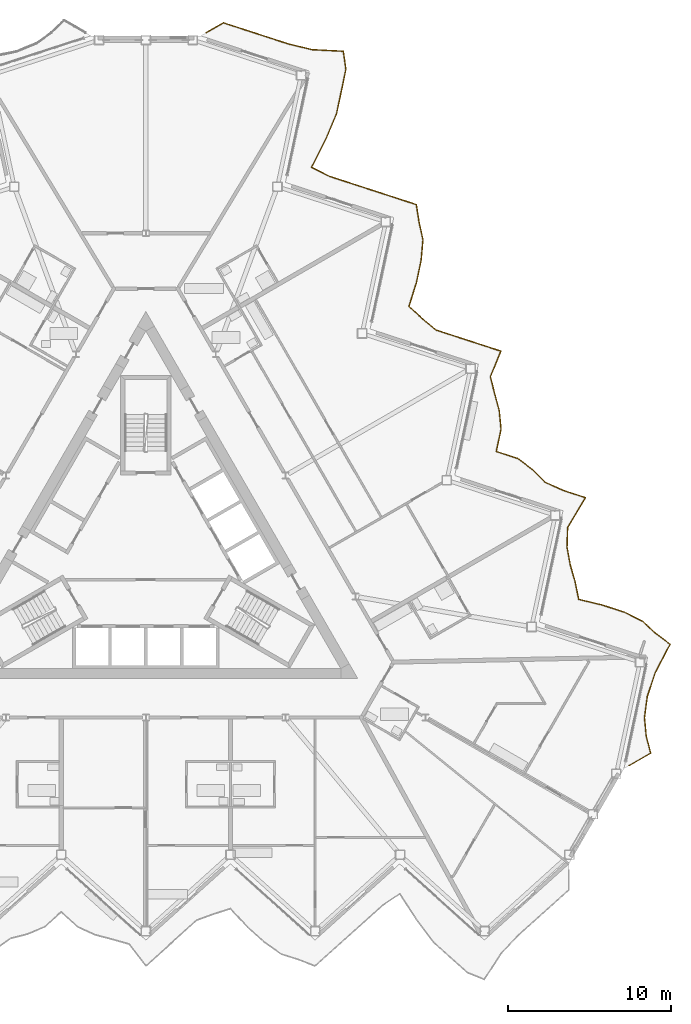
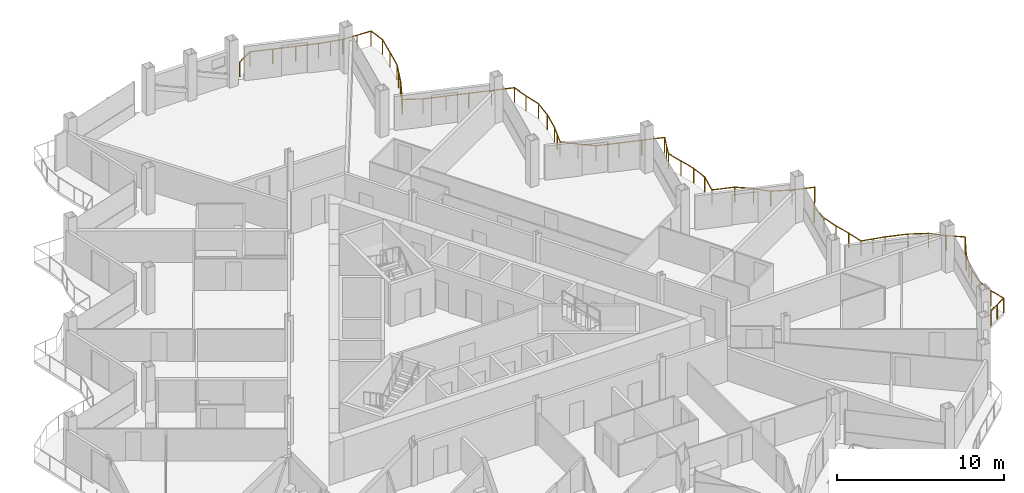
# One storey, part 25 of 27: 1 railing.
"""IFC4 building model written with IfcOpenShell, lengths in metres."""

from ifc_helpers import new_model, si_unit, direction, frame, origin, origin_2d, place, context, subcontext, project, spatial, circle, extrude, material, type_object, element, save


model = new_model("IFC4")

# Units and contexts
model_context = context("Model", 3, precision=1e-05, world=origin(), true_north=direction((0.0, 1.0)))
body_context = subcontext(model_context, "Body", "Model", "MODEL_VIEW")
ifc_project = project(units=[si_unit("LENGTHUNIT", "METRE"), si_unit("AREAUNIT", "SQUARE_METRE"), si_unit("VOLUMEUNIT", "CUBIC_METRE"), si_unit("PLANEANGLEUNIT", "RADIAN"), si_unit("MASSUNIT", "GRAM", prefix="KILO")], contexts=[model_context])

# Site, building, storey
site_placement = place(None, origin())
site = spatial("IfcSite", under=ifc_project, at=site_placement, CompositionType="ELEMENT")
building_placement = place(site_placement, origin())
building = spatial("IfcBuilding", under=site, at=building_placement, Name="Cormorant Prow Tower", CompositionType="ELEMENT")
storey_placement = place(building_placement, frame((0.0, 0.0, 318.800048828125)))
storey = spatial("IfcBuildingStorey", under=building, at=storey_placement, Name="L70", CompositionType="ELEMENT", Elevation=318.800048828125)

# Railing
ifc_material = material(Name="Aluminium 6063-T6", Category="aluminium")
railing_type = type_object("IfcRailingType", Name="Balcony guard 1100", PredefinedType="GUARDRAIL", material=ifc_material)
railing_placement = place(storey_placement, frame((29.66748046875, -12.852294921875, 0.0)))
element("IfcRailing", 1, at=railing_placement, inside=storey, type_object=railing_type, Name="Balcony guard ENE", PredefinedType="GUARDRAIL", context=body_context, shape_type="SweptSolid", body=[
    extrude(circle(Radius=0.02392578125, at=origin_2d()), frame((0.0, 0.0, 1.076171875), z_axis=(0.865990296034, 0.500060803479, 0.0), x_axis=(-0.500060803479, 0.865990296034, 0.0)), (0.0, 0.0, 1.0), 1.519775390625),
    extrude(circle(Radius=0.02392578125, at=origin_2d()), frame((1.316162109375, 0.760009765625, 1.076171875), z_axis=(-0.254526797847, 0.96706572123, 0.0), x_axis=(-0.96706572123, -0.254526797847, 0.0)), (0.0, 0.0, 1.0), 1.076171875),
    extrude(circle(Radius=0.02392578125, at=origin_2d()), frame((1.042236328125, 1.80078125, 1.076171875), z_axis=(-0.094930168972, 0.995483934084, 0.0), x_axis=(-0.995483934084, -0.094930168972, 0.0)), (0.0, 0.0, 1.0), 1.141845703125),
    extrude(circle(Radius=0.02392578125, at=origin_2d()), frame((0.933837890625, 2.9375, 1.076171875), z_axis=(0.133053480017, 0.991108859538, 0.0), x_axis=(-0.991108859538, 0.133053480017, 0.0)), (0.0, 0.0, 1.0), 1.31201171875),
    extrude(circle(Radius=0.02392578125, at=origin_2d()), frame((1.1083984375, 4.23779296875, 1.076171875), z_axis=(0.314680505044, 0.949197650516, 0.0), x_axis=(-0.949197650516, 0.314680505044, 0.0)), (0.0, 0.0, 1.0), 1.5625),
    extrude(circle(Radius=0.02392578125, at=origin_2d()), frame((1.60009765625, 5.720947265625, 1.076171875), z_axis=(0.46650004897, 0.884521172336, 0.0), x_axis=(-0.884521172336, 0.46650004897, 0.0)), (0.0, 0.0, 1.0), 1.948974609375),
    extrude(circle(Radius=0.02392578125, at=origin_2d()), frame((2.50927734375, 7.44482421875, 1.076171875), z_axis=(-0.801448559244, 0.598063714738, 0.0), x_axis=(-0.598063714738, -0.801448559244, 0.0)), (0.0, 0.0, 1.0), 1.130859375),
    extrude(circle(Radius=0.02392578125, at=origin_2d()), frame((1.60302734375, 8.12109375, 1.076171875), z_axis=(-0.731832125481, 0.681484952229, 0.0), x_axis=(-0.681484952229, -0.731832125481, 0.0)), (0.0, 0.0, 1.0), 1.086181640625),
    extrude(circle(Radius=0.02392578125, at=origin_2d()), frame((0.80810546875, 8.861328125, 1.076171875), z_axis=(-0.895832274755, 0.444392321611, 0.0), x_axis=(-0.444392321611, -0.895832274755, 0.0)), (0.0, 0.0, 1.0), 1.2470703125),
    extrude(circle(Radius=0.02392578125, at=origin_2d()), frame((-0.30908203125, 9.41552734375, 1.076171875), z_axis=(-0.951049473261, 0.309038669765, 0.0), x_axis=(-0.309038669765, -0.951049473261, 0.0)), (0.0, 0.0, 1.0), 1.3974609375),
    extrude(circle(Radius=0.02392578125, at=origin_2d()), frame((-1.63818359375, 9.847412109375, 1.076171875), z_axis=(-0.972192918436, 0.234181402642, 0.0), x_axis=(-0.234181402642, -0.972192918436, 0.0)), (0.0, 0.0, 1.0), 1.507568359375),
    extrude(circle(Radius=0.02392578125, at=origin_2d()), frame((-3.103759765625, 10.200439453125, 1.076171875), z_axis=(-0.199287382647, 0.979941089616, 0.0), x_axis=(-0.979941089616, -0.199287382647, 0.0)), (0.0, 0.0, 1.0), 1.09521484375),
    extrude(circle(Radius=0.02392578125, at=origin_2d()), frame((-3.322021484375, 11.273681640625, 1.076171875), z_axis=(-0.276528694567, 0.961005661316, 0.0), x_axis=(-0.961005661316, -0.276528694567, 0.0)), (0.0, 0.0, 1.0), 1.070068359375),
    extrude(circle(Radius=0.02392578125, at=origin_2d()), frame((-3.617919921875, 12.302001953125, 1.076171875), z_axis=(-0.182628921889, 0.983181914444, 0.0), x_axis=(-0.983181914444, -0.182628921889, 0.0)), (0.0, 0.0, 1.0), 1.1015625),
    extrude(circle(Radius=0.02392578125, at=origin_2d()), frame((-3.819091796875, 13.385009765625, 1.076171875), z_axis=(0.03117236859, 0.999514023632, 0.0), x_axis=(-0.999514023632, 0.03117236859, 0.0)), (0.0, 0.0, 1.0), 1.2216796875),
    extrude(circle(Radius=0.02392578125, at=origin_2d()), frame((-3.781005859375, 14.606201171875, 1.076171875), z_axis=(0.513672056479, 0.857986607351, 0.0), x_axis=(-0.857986607351, 0.513672056479, 0.0)), (0.0, 0.0, 1.0), 2.136474609375),
    extrude(circle(Radius=0.02392578125, at=origin_2d()), frame((-2.68359375, 16.439208984375, 1.076171875), z_axis=(-0.951049473261, 0.309038669765, 0.0), x_axis=(-0.309038669765, -0.951049473261, 0.0)), (0.0, 0.0, 1.0), 1.3974609375),
    extrude(circle(Radius=0.02392578125, at=origin_2d()), frame((-4.0126953125, 16.87109375, 1.076171875), z_axis=(-0.913371682703, 0.407126723804, 0.0), x_axis=(-0.407126723804, -0.913371682703, 0.0)), (0.0, 0.0, 1.0), 1.283203125),
    extrude(circle(Radius=0.02392578125, at=origin_2d()), frame((-5.184814453125, 17.3935546875, 1.076171875), z_axis=(-0.700819725336, 0.713338427802, 0.0), x_axis=(-0.713338427802, -0.700819725336, 0.0)), (0.0, 0.0, 1.0), 1.072509765625),
    extrude(circle(Radius=0.02392578125, at=origin_2d()), frame((-5.9365234375, 18.15869140625, 1.076171875), z_axis=(-0.794868640028, 0.60678154644, 0.0), x_axis=(-0.60678154644, -0.794868640028, 0.0)), (0.0, 0.0, 1.0), 1.12548828125),
    extrude(circle(Radius=0.02392578125, at=origin_2d()), frame((-6.8310546875, 18.841552734375, 1.076171875), z_axis=(-0.951049473261, 0.309038669765, 0.0), x_axis=(-0.309038669765, -0.951049473261, 0.0)), (0.0, 0.0, 1.0), 1.3974609375),
    extrude(circle(Radius=0.02392578125, at=origin_2d()), frame((-8.16015625, 19.2734375, 1.076171875), z_axis=(0.208061417088, 0.978115763455, 0.0), x_axis=(-0.978115763455, 0.208061417088, 0.0)), (0.0, 0.0, 1.0), 1.3974609375),
    extrude(circle(Radius=0.02392578125, at=origin_2d()), frame((-7.869384765625, 20.640380859375, 1.076171875), z_axis=(-0.093578968854, 0.99561186041, 0.0), x_axis=(-0.99561186041, -0.093578968854, 0.0)), (0.0, 0.0, 1.0), 1.142822265625),
    extrude(circle(Radius=0.02392578125, at=origin_2d()), frame((-7.976318359375, 21.778076171875, 1.076171875), z_axis=(-0.262809603673, 0.964847714522, 0.0), x_axis=(-0.964847714522, -0.262809603673, 0.0)), (0.0, 0.0, 1.0), 1.073974609375),
    extrude(circle(Radius=0.02392578125, at=origin_2d()), frame((-8.258544921875, 22.814208984375, 1.076171875), z_axis=(-0.244929504133, 0.969540890321, 0.0), x_axis=(-0.969540890321, -0.244929504133, 0.0)), (0.0, 0.0, 1.0), 1.07958984375),
    extrude(circle(Radius=0.02392578125, at=origin_2d()), frame((-8.52294921875, 23.86083984375, 1.076171875), z_axis=(0.380236971606, 0.924889098986, 0.0), x_axis=(-0.924889098986, 0.380236971606, 0.0)), (0.0, 0.0, 1.0), 1.7001953125),
    extrude(circle(Radius=0.02392578125, at=origin_2d()), frame((-7.87646484375, 25.433349609375, 1.076171875), z_axis=(-0.951049473261, 0.309038669765, 0.0), x_axis=(-0.309038669765, -0.951049473261, 0.0)), (0.0, 0.0, 1.0), 1.3974609375),
    extrude(circle(Radius=0.02392578125, at=origin_2d()), frame((-9.20556640625, 25.865234375, 1.076171875), z_axis=(-0.951049473261, 0.309038669765, 0.0), x_axis=(-0.309038669765, -0.951049473261, 0.0)), (0.0, 0.0, 1.0), 1.3974609375),
    extrude(circle(Radius=0.02392578125, at=origin_2d()), frame((-10.53466796875, 26.297119140625, 1.076171875), z_axis=(-0.951049473261, 0.309038669765, 0.0), x_axis=(-0.309038669765, -0.951049473261, 0.0)), (0.0, 0.0, 1.0), 1.3974609375),
    extrude(circle(Radius=0.02392578125, at=origin_2d()), frame((-11.86376953125, 26.72900390625, 1.076171875), z_axis=(-0.765752738329, 0.643135089808, 0.0), x_axis=(-0.643135089808, -0.765752738329, 0.0)), (0.0, 0.0, 1.0), 1.10498046875),
    extrude(circle(Radius=0.02392578125, at=origin_2d()), frame((-12.7099609375, 27.439697265625, 1.076171875), z_axis=(-0.74167887403, 0.670755132532, 0.0), x_axis=(-0.670755132532, -0.74167887403, 0.0)), (0.0, 0.0, 1.0), 1.09130859375),
    extrude(circle(Radius=0.02392578125, at=origin_2d()), frame((-13.519287109375, 28.171630859375, 1.076171875), z_axis=(0.298157095607, 0.954516813021, 0.0), x_axis=(-0.954516813021, 0.298157095607, 0.0)), (0.0, 0.0, 1.0), 1.532958984375),
    extrude(circle(Radius=0.02392578125, at=origin_2d()), frame((-13.062255859375, 29.634765625, 1.076171875), z_axis=(0.20789427571, 0.978151302267, 0.0), x_axis=(-0.978151302267, 0.20789427571, 0.0)), (0.0, 0.0, 1.0), 1.3974609375),
    extrude(circle(Radius=0.02392578125, at=origin_2d()), frame((-12.771728515625, 31.001708984375, 1.076171875), z_axis=(0.087045114157, 0.99620437065, 0.0), x_axis=(-0.99620437065, 0.087045114157, 0.0)), (0.0, 0.0, 1.0), 1.267822265625),
    extrude(circle(Radius=0.02392578125, at=origin_2d()), frame((-12.661376953125, 32.2646484375, 1.076171875), z_axis=(-0.214699317725, 0.976680194828, 0.0), x_axis=(-0.976680194828, -0.214699317725, 0.0)), (0.0, 0.0, 1.0), 1.08935546875),
    extrude(circle(Radius=0.02392578125, at=origin_2d()), frame((-12.895263671875, 33.32861328125, 1.076171875), z_axis=(-0.156244286063, 0.987718443218, 0.0), x_axis=(-0.987718443218, -0.156244286063, 0.0)), (0.0, 0.0, 1.0), 1.112548828125),
    extrude(circle(Radius=0.02392578125, at=origin_2d()), frame((-13.069091796875, 34.427490234375, 1.076171875), z_axis=(-0.951066153506, 0.308987332516, 0.0), x_axis=(-0.308987332516, -0.951066153506, 0.0)), (0.0, 0.0, 1.0), 1.397705078125),
    extrude(circle(Radius=0.02392578125, at=origin_2d()), frame((-14.3984375, 34.859375, 1.076171875), z_axis=(-0.951049473261, 0.309038669765, 0.0), x_axis=(-0.309038669765, -0.951049473261, 0.0)), (0.0, 0.0, 1.0), 1.3974609375),
    extrude(circle(Radius=0.02392578125, at=origin_2d()), frame((-15.7275390625, 35.291259765625, 1.076171875), z_axis=(-0.951049473261, 0.309038669765, 0.0), x_axis=(-0.309038669765, -0.951049473261, 0.0)), (0.0, 0.0, 1.0), 1.3974609375),
    extrude(circle(Radius=0.02392578125, at=origin_2d()), frame((-17.056640625, 35.72314453125, 1.076171875), z_axis=(-0.951049473261, 0.309038669765, 0.0), x_axis=(-0.309038669765, -0.951049473261, 0.0)), (0.0, 0.0, 1.0), 1.3974609375),
    extrude(circle(Radius=0.02392578125, at=origin_2d()), frame((-18.3857421875, 36.155029296875, 1.076171875), z_axis=(-0.893797979222, 0.44846981207, 0.0), x_axis=(-0.44846981207, -0.893797979222, 0.0)), (0.0, 0.0, 1.0), 1.243408203125),
    extrude(circle(Radius=0.02392578125, at=origin_2d()), frame((-19.4970703125, 36.712646484375, 1.076171875), z_axis=(0.452646834829, 0.891689880463, 0.0), x_axis=(-0.891689880463, 0.452646834829, 0.0)), (0.0, 0.0, 1.0), 1.90234375),
    extrude(circle(Radius=0.02392578125, at=origin_2d()), frame((-18.635986328125, 38.408935546875, 1.076171875), z_axis=(0.389639990837, 0.920967251069, 0.0), x_axis=(-0.920967251069, 0.389639990837, 0.0)), (0.0, 0.0, 1.0), 1.72314453125),
    extrude(circle(Radius=0.02392578125, at=origin_2d()), frame((-17.964599609375, 39.995849609375, 1.076171875), z_axis=(0.20789427571, 0.978151302267, 0.0), x_axis=(-0.978151302267, 0.20789427571, 0.0)), (0.0, 0.0, 1.0), 1.3974609375),
    extrude(circle(Radius=0.02392578125, at=origin_2d()), frame((-17.674072265625, 41.36279296875, 1.076171875), z_axis=(0.203632055685, 0.979047489092, 0.0), x_axis=(-0.979047489092, 0.203632055685, 0.0)), (0.0, 0.0, 1.0), 1.391845703125),
    extrude(circle(Radius=0.02392578125, at=origin_2d()), frame((-17.390625, 42.7255859375, 1.076171875), z_axis=(-0.137425923861, 0.9905120471, 0.0), x_axis=(-0.9905120471, -0.137425923861, 0.0)), (0.0, 0.0, 1.0), 1.12109375),
    extrude(circle(Radius=0.02392578125, at=origin_2d()), frame((-17.544677734375, 43.8359375, 1.076171875), z_axis=(-0.998693020382, 0.051110185281, 0.0), x_axis=(-0.051110185281, -0.998693020382, 0.0)), (0.0, 0.0, 1.0), 1.91064453125),
    extrude(circle(Radius=0.02392578125, at=origin_2d()), frame((-19.452880859375, 43.93359375, 1.076171875), z_axis=(-0.972401986651, 0.233311757862, 0.0), x_axis=(-0.233311757862, -0.972401986651, 0.0)), (0.0, 0.0, 1.0), 1.509033203125),
    extrude(circle(Radius=0.02392578125, at=origin_2d()), frame((-20.920166015625, 44.28564453125, 1.076171875), z_axis=(-0.951100808232, 0.308880644554, 0.0), x_axis=(-0.308880644554, -0.951100808232, 0.0)), (0.0, 0.0, 1.0), 1.3974609375),
    extrude(circle(Radius=0.02392578125, at=origin_2d()), frame((-22.249267578125, 44.71728515625, 1.076171875), z_axis=(-0.951014813985, 0.309145311433, 0.0), x_axis=(-0.309145311433, -0.951014813985, 0.0)), (0.0, 0.0, 1.0), 1.397705078125),
    extrude(circle(Radius=0.02392578125, at=origin_2d()), frame((-23.57861328125, 45.1494140625, 1.076171875), z_axis=(-0.951049473261, 0.309038669765, 0.0), x_axis=(-0.309038669765, -0.951049473261, 0.0)), (0.0, 0.0, 1.0), 1.3974609375),
    extrude(circle(Radius=0.02392578125, at=origin_2d()), frame((-24.90771484375, 45.581298828125, 1.076171875), z_axis=(-0.865955602162, -0.500120880472, 0.0), x_axis=(0.500120880472, -0.865955602162, 0.0)), (0.0, 0.0, 1.0), 1.219970703125),
    extrude(circle(Radius=0.02099609375, at=origin_2d()), origin(), (0.0, 0.0, 1.0), 1.052001953125),
    extrude(circle(Radius=0.02099609375, at=origin_2d()), frame((0.658203125, 0.3798828125, 0.0)), (0.0, 0.0, 1.0), 1.052001953125),
    extrude(circle(Radius=0.02099609375, at=origin_2d()), frame((1.316162109375, 0.760009765625, 0.0)), (0.0, 0.0, 1.0), 1.052001953125),
    extrude(circle(Radius=0.02099609375, at=origin_2d()), frame((1.042236328125, 1.80078125, 0.0)), (0.0, 0.0, 1.0), 1.052001953125),
    extrude(circle(Radius=0.02099609375, at=origin_2d()), frame((0.933837890625, 2.9375, 0.0)), (0.0, 0.0, 1.0), 1.052001953125),
    extrude(circle(Radius=0.02099609375, at=origin_2d()), frame((1.1083984375, 4.23779296875, 0.0)), (0.0, 0.0, 1.0), 1.052001953125),
    extrude(circle(Radius=0.02099609375, at=origin_2d()), frame((1.354248046875, 4.9794921875, 0.0)), (0.0, 0.0, 1.0), 1.052001953125),
    extrude(circle(Radius=0.02099609375, at=origin_2d()), frame((1.60009765625, 5.720947265625, 0.0)), (0.0, 0.0, 1.0), 1.052001953125),
    extrude(circle(Radius=0.02099609375, at=origin_2d()), frame((2.0546875, 6.5830078125, 0.0)), (0.0, 0.0, 1.0), 1.052001953125),
    extrude(circle(Radius=0.02099609375, at=origin_2d()), frame((2.50927734375, 7.44482421875, 0.0)), (0.0, 0.0, 1.0), 1.052001953125),
    extrude(circle(Radius=0.02099609375, at=origin_2d()), frame((1.60302734375, 8.12109375, 0.0)), (0.0, 0.0, 1.0), 1.052001953125),
    extrude(circle(Radius=0.02099609375, at=origin_2d()), frame((0.80810546875, 8.861328125, 0.0)), (0.0, 0.0, 1.0), 1.052001953125),
    extrude(circle(Radius=0.02099609375, at=origin_2d()), frame((-0.30908203125, 9.41552734375, 0.0)), (0.0, 0.0, 1.0), 1.052001953125),
    extrude(circle(Radius=0.02099609375, at=origin_2d()), frame((-1.63818359375, 9.847412109375, 0.0)), (0.0, 0.0, 1.0), 1.052001953125),
    extrude(circle(Radius=0.02099609375, at=origin_2d()), frame((-2.37109375, 10.02392578125, 0.0)), (0.0, 0.0, 1.0), 1.052001953125),
    extrude(circle(Radius=0.02099609375, at=origin_2d()), frame((-3.103759765625, 10.200439453125, 0.0)), (0.0, 0.0, 1.0), 1.052001953125),
    extrude(circle(Radius=0.02099609375, at=origin_2d()), frame((-3.322021484375, 11.273681640625, 0.0)), (0.0, 0.0, 1.0), 1.052001953125),
    extrude(circle(Radius=0.02099609375, at=origin_2d()), frame((-3.617919921875, 12.302001953125, 0.0)), (0.0, 0.0, 1.0), 1.052001953125),
    extrude(circle(Radius=0.02099609375, at=origin_2d()), frame((-3.819091796875, 13.385009765625, 0.0)), (0.0, 0.0, 1.0), 1.052001953125),
    extrude(circle(Radius=0.02099609375, at=origin_2d()), frame((-3.781005859375, 14.606201171875, 0.0)), (0.0, 0.0, 1.0), 1.052001953125),
    extrude(circle(Radius=0.02099609375, at=origin_2d()), frame((-3.232421875, 15.522705078125, 0.0)), (0.0, 0.0, 1.0), 1.052001953125),
    extrude(circle(Radius=0.02099609375, at=origin_2d()), frame((-2.68359375, 16.439208984375, 0.0)), (0.0, 0.0, 1.0), 1.052001953125),
    extrude(circle(Radius=0.02099609375, at=origin_2d()), frame((-4.0126953125, 16.87109375, 0.0)), (0.0, 0.0, 1.0), 1.052001953125),
    extrude(circle(Radius=0.02099609375, at=origin_2d()), frame((-5.184814453125, 17.3935546875, 0.0)), (0.0, 0.0, 1.0), 1.052001953125),
    extrude(circle(Radius=0.02099609375, at=origin_2d()), frame((-5.9365234375, 18.15869140625, 0.0)), (0.0, 0.0, 1.0), 1.052001953125),
    extrude(circle(Radius=0.02099609375, at=origin_2d()), frame((-6.8310546875, 18.841552734375, 0.0)), (0.0, 0.0, 1.0), 1.052001953125),
    extrude(circle(Radius=0.02099609375, at=origin_2d()), frame((-8.16015625, 19.2734375, 0.0)), (0.0, 0.0, 1.0), 1.052001953125),
    extrude(circle(Radius=0.02099609375, at=origin_2d()), frame((-7.869384765625, 20.640380859375, 0.0)), (0.0, 0.0, 1.0), 1.052001953125),
    extrude(circle(Radius=0.02099609375, at=origin_2d()), frame((-7.976318359375, 21.778076171875, 0.0)), (0.0, 0.0, 1.0), 1.052001953125),
    extrude(circle(Radius=0.02099609375, at=origin_2d()), frame((-8.258544921875, 22.814208984375, 0.0)), (0.0, 0.0, 1.0), 1.052001953125),
    extrude(circle(Radius=0.02099609375, at=origin_2d()), frame((-8.52294921875, 23.86083984375, 0.0)), (0.0, 0.0, 1.0), 1.052001953125),
    extrude(circle(Radius=0.02099609375, at=origin_2d()), frame((-8.19970703125, 24.64697265625, 0.0)), (0.0, 0.0, 1.0), 1.052001953125),
    extrude(circle(Radius=0.02099609375, at=origin_2d()), frame((-7.87646484375, 25.433349609375, 0.0)), (0.0, 0.0, 1.0), 1.052001953125),
    extrude(circle(Radius=0.02099609375, at=origin_2d()), frame((-9.20556640625, 25.865234375, 0.0)), (0.0, 0.0, 1.0), 1.052001953125),
    extrude(circle(Radius=0.02099609375, at=origin_2d()), frame((-10.53466796875, 26.297119140625, 0.0)), (0.0, 0.0, 1.0), 1.052001953125),
    extrude(circle(Radius=0.02099609375, at=origin_2d()), frame((-11.86376953125, 26.72900390625, 0.0)), (0.0, 0.0, 1.0), 1.052001953125),
    extrude(circle(Radius=0.02099609375, at=origin_2d()), frame((-12.7099609375, 27.439697265625, 0.0)), (0.0, 0.0, 1.0), 1.052001953125),
    extrude(circle(Radius=0.02099609375, at=origin_2d()), frame((-13.519287109375, 28.171630859375, 0.0)), (0.0, 0.0, 1.0), 1.052001953125),
    extrude(circle(Radius=0.02099609375, at=origin_2d()), frame((-13.290771484375, 28.9033203125, 0.0)), (0.0, 0.0, 1.0), 1.052001953125),
    extrude(circle(Radius=0.02099609375, at=origin_2d()), frame((-13.062255859375, 29.634765625, 0.0)), (0.0, 0.0, 1.0), 1.052001953125),
    extrude(circle(Radius=0.02099609375, at=origin_2d()), frame((-12.771728515625, 31.001708984375, 0.0)), (0.0, 0.0, 1.0), 1.052001953125),
    extrude(circle(Radius=0.02099609375, at=origin_2d()), frame((-12.661376953125, 32.2646484375, 0.0)), (0.0, 0.0, 1.0), 1.052001953125),
    extrude(circle(Radius=0.02099609375, at=origin_2d()), frame((-12.895263671875, 33.32861328125, 0.0)), (0.0, 0.0, 1.0), 1.052001953125),
    extrude(circle(Radius=0.02099609375, at=origin_2d()), frame((-13.069091796875, 34.427490234375, 0.0)), (0.0, 0.0, 1.0), 1.052001953125),
    extrude(circle(Radius=0.02099609375, at=origin_2d()), frame((-14.3984375, 34.859375, 0.0)), (0.0, 0.0, 1.0), 1.052001953125),
    extrude(circle(Radius=0.02099609375, at=origin_2d()), frame((-15.7275390625, 35.291259765625, 0.0)), (0.0, 0.0, 1.0), 1.052001953125),
    extrude(circle(Radius=0.02099609375, at=origin_2d()), frame((-17.056640625, 35.72314453125, 0.0)), (0.0, 0.0, 1.0), 1.052001953125),
    extrude(circle(Radius=0.02099609375, at=origin_2d()), frame((-18.3857421875, 36.155029296875, 0.0)), (0.0, 0.0, 1.0), 1.052001953125),
    extrude(circle(Radius=0.02099609375, at=origin_2d()), frame((-19.4970703125, 36.712646484375, 0.0)), (0.0, 0.0, 1.0), 1.052001953125),
    extrude(circle(Radius=0.02099609375, at=origin_2d()), frame((-19.06640625, 37.560791015625, 0.0)), (0.0, 0.0, 1.0), 1.052001953125),
    extrude(circle(Radius=0.02099609375, at=origin_2d()), frame((-18.635986328125, 38.408935546875, 0.0)), (0.0, 0.0, 1.0), 1.052001953125),
    extrude(circle(Radius=0.02099609375, at=origin_2d()), frame((-18.30029296875, 39.202392578125, 0.0)), (0.0, 0.0, 1.0), 1.052001953125),
    extrude(circle(Radius=0.02099609375, at=origin_2d()), frame((-17.964599609375, 39.995849609375, 0.0)), (0.0, 0.0, 1.0), 1.052001953125),
    extrude(circle(Radius=0.02099609375, at=origin_2d()), frame((-17.674072265625, 41.36279296875, 0.0)), (0.0, 0.0, 1.0), 1.052001953125),
    extrude(circle(Radius=0.02099609375, at=origin_2d()), frame((-17.390625, 42.7255859375, 0.0)), (0.0, 0.0, 1.0), 1.052001953125),
    extrude(circle(Radius=0.02099609375, at=origin_2d()), frame((-17.544677734375, 43.8359375, 0.0)), (0.0, 0.0, 1.0), 1.052001953125),
    extrude(circle(Radius=0.02099609375, at=origin_2d()), frame((-18.498779296875, 43.884765625, 0.0)), (0.0, 0.0, 1.0), 1.052001953125),
    extrude(circle(Radius=0.02099609375, at=origin_2d()), frame((-19.452880859375, 43.93359375, 0.0)), (0.0, 0.0, 1.0), 1.052001953125),
    extrude(circle(Radius=0.02099609375, at=origin_2d()), frame((-20.1865234375, 44.109619140625, 0.0)), (0.0, 0.0, 1.0), 1.052001953125),
    extrude(circle(Radius=0.02099609375, at=origin_2d()), frame((-20.920166015625, 44.28564453125, 0.0)), (0.0, 0.0, 1.0), 1.052001953125),
    extrude(circle(Radius=0.02099609375, at=origin_2d()), frame((-22.249267578125, 44.71728515625, 0.0)), (0.0, 0.0, 1.0), 1.052001953125),
    extrude(circle(Radius=0.02099609375, at=origin_2d()), frame((-23.57861328125, 45.1494140625, 0.0)), (0.0, 0.0, 1.0), 1.052001953125),
    extrude(circle(Radius=0.02099609375, at=origin_2d()), frame((-24.90771484375, 45.581298828125, 0.0)), (0.0, 0.0, 1.0), 1.052001953125),
    extrude(circle(Radius=0.02099609375, at=origin_2d()), frame((-25.964111328125, 44.97119140625, 0.0)), (0.0, 0.0, 1.0), 1.052001953125),
])

save(model, "model.ifc")
